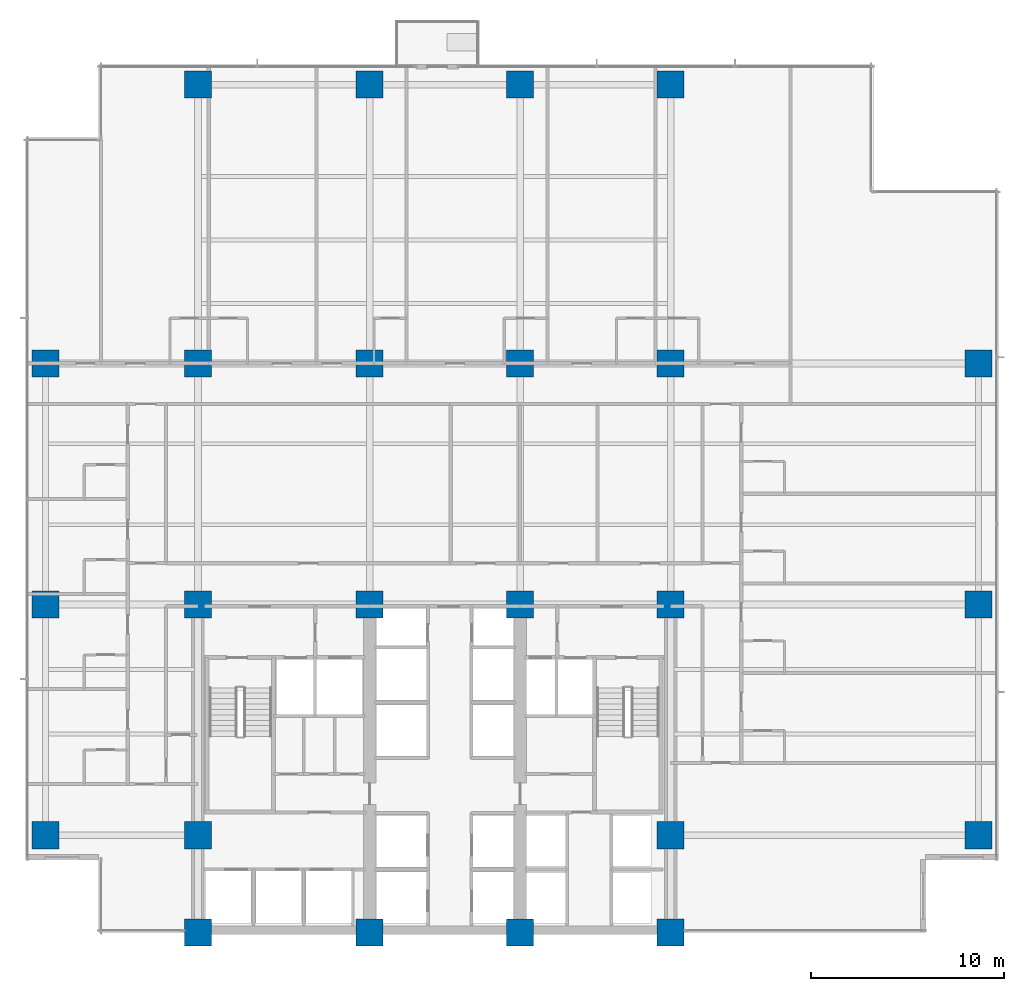
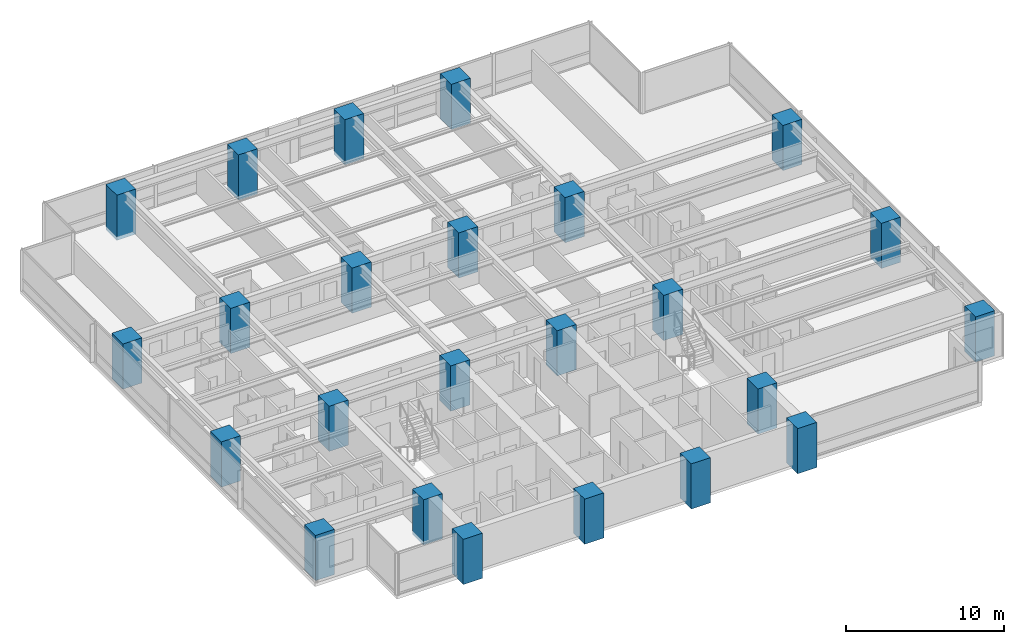
# One storey, part 1 of 17: 24 columns.
"""IFC4 building model written with IfcOpenShell, lengths in metres."""

from ifc_helpers import new_model, si_unit, direction, frame, origin, origin_2d, place, context, subcontext, project, spatial, rectangle, extrude, material, material_profile, profile_set, type_object, element, save


model = new_model("IFC4")

# Units and contexts
model_context = context("Model", 3, precision=1e-05, world=origin(), true_north=direction((0.0, 1.0)))
body_context = subcontext(model_context, "Body", "Model", "MODEL_VIEW")
ifc_project = project(units=[si_unit("LENGTHUNIT", "METRE"), si_unit("AREAUNIT", "SQUARE_METRE"), si_unit("VOLUMEUNIT", "CUBIC_METRE"), si_unit("PLANEANGLEUNIT", "RADIAN"), si_unit("MASSUNIT", "GRAM", prefix="KILO")], contexts=[model_context])

# Site, building, storey
site_placement = place(None, origin())
site = spatial("IfcSite", under=ifc_project, at=site_placement, CompositionType="ELEMENT")
building_placement = place(site_placement, origin())
building = spatial("IfcBuilding", under=site, at=building_placement, Name="Qalmaran Belvedere Hotel", CompositionType="ELEMENT")
storey_placement = place(building_placement, frame((0.0, 0.0, 61.39990234375)))
storey = spatial("IfcBuildingStorey", under=building, at=storey_placement, Name="L15", CompositionType="ELEMENT", Elevation=61.39990234375)

# Columns
ifc_material = material(Name="Concrete C60/75", Category="concrete")
ifc_material_profile = material_profile(ifc_material, rectangle(XDim=1.39990234375, YDim=1.39990234375, at=origin_2d()), Name="CC1400X1400")
ifc_profile_set = profile_set([ifc_material_profile], Name="Concrete C60/75")
column_type = type_object("IfcColumnType", Name="COL-Z1-CC1400", PredefinedType="COLUMN", material=ifc_profile_set)
for number, where, z_axis, x_axis, name in (
    (1, (20.300048828125, 3.5, -0.27978515625), (0.0, 0.0, 1.0), (1.0, 0.0, 0.0), "L15 Column C4B"),
    (2, (29.199951171875, 3.5, -0.27978515625), (0.0, 0.0, 1.0), (1.0, 0.0, 0.0), "L15 Column C5B"),
    (3, (37.0, 3.5, -0.27978515625), (0.0, 0.0, 1.0), (1.0, 0.0, 0.0), "L15 Column C6B"),
    (4, (44.800048828125, 3.5, -0.27978515625), (0.0, 0.0, 1.0), (1.0, 0.0, 0.0), "L15 Column C7B"),
    (5, (20.300048828125, 8.550048828125, -0.27978515625), (0.0, 0.0, 1.0), (1.0, 0.0, 0.0), "L15 Column C4C"),
    (6, (44.800048828125, 8.550048828125, -0.27978515625), (0.0, 0.0, 1.0), (1.0, 0.0, 0.0), "L15 Column C7C"),
    (7, (20.300048828125, 20.5, -0.27978515625), (0.0, 0.0, 1.0), (1.0, 0.0, 0.0), "L15 Column C4D"),
    (8, (29.199951171875, 20.5, -0.27978515625), (0.0, 0.0, 1.0), (1.0, 0.0, 0.0), "L15 Column C5D"),
    (9, (37.0, 20.5, -0.27978515625), (0.0, 0.0, 1.0), (1.0, 0.0, 0.0), "L15 Column C6D"),
    (10, (44.800048828125, 20.5, -0.27978515625), (0.0, 0.0, 1.0), (1.0, 0.0, 0.0), "L15 Column C7D"),
    (11, (20.300048828125, 33.0, -0.27978515625), (0.0, 0.0, 1.0), (1.0, 0.0, 0.0), "L15 Column C4F"),
    (12, (29.199951171875, 33.0, -0.27978515625), (0.0, 0.0, 1.0), (1.0, 0.0, 0.0), "L15 Column C5F"),
    (13, (37.0, 33.0, -0.27978515625), (0.0, 0.0, 1.0), (1.0, 0.0, 0.0), "L15 Column C6F"),
    (14, (44.800048828125, 33.0, -0.27978515625), (0.0, 0.0, 1.0), (1.0, 0.0, 0.0), "L15 Column C7F"),
    (15, (12.39990234375, 8.550048828125, -0.27978515625), (0.0, 0.0, 1.0), (1.0, 0.0, 0.0), "L15 Column CW1"),
    (16, (12.39990234375, 20.5, -0.27978515625), (0.0, 0.0, 1.0), (1.0, 0.0, 0.0), "L15 Column CW3"),
    (17, (12.39990234375, 33.0, -0.27978515625), (0.0, 0.0, 1.0), (1.0, 0.0, 0.0), "L15 Column CW4"),
    (18, (60.75, 8.550048828125, -0.27978515625), (0.0, 0.0, 1.0), (1.0, 0.0, 0.0), "L15 Column CE1"),
    (19, (60.75, 20.5, -0.27978515625), (0.0, 0.0, 1.0), (1.0, 0.0, 0.0), "L15 Column CE3"),
    (20, (60.75, 33.0, -0.27978515625), (0.0, 0.0, 1.0), (1.0, 0.0, 0.0), "L15 Column CE4"),
    (21, (20.300048828125, 47.449951171875, -0.27978515625), (0.0, 0.0, 1.0), (1.0, 0.0, 0.0), "L15 Column CN1"),
    (22, (29.199951171875, 47.449951171875, -0.27978515625), (0.0, 0.0, 1.0), (1.0, 0.0, 0.0), "L15 Column CN2"),
    (23, (37.0, 47.449951171875, -0.27978515625), (0.0, 0.0, 1.0), (1.0, 0.0, 0.0), "L15 Column CN3"),
    (24, (44.800048828125, 47.449951171875, -0.27978515625), (0.0, 0.0, 1.0), (1.0, 0.0, 0.0), "L15 Column CN4"),
):
    element("IfcColumn", number, at=place(storey_placement, frame(where, z_axis=z_axis, x_axis=x_axis)), inside=storey, type_object=column_type, Name=name, PredefinedType="COLUMN", context=body_context, shape_type="SweptSolid", body=[
        extrude(rectangle(XDim=1.39990234375, YDim=1.39990234375, at=origin_2d()), origin(), (0.0, 0.0, 1.0), 3.5),
    ])

save(model, "model.ifc")
